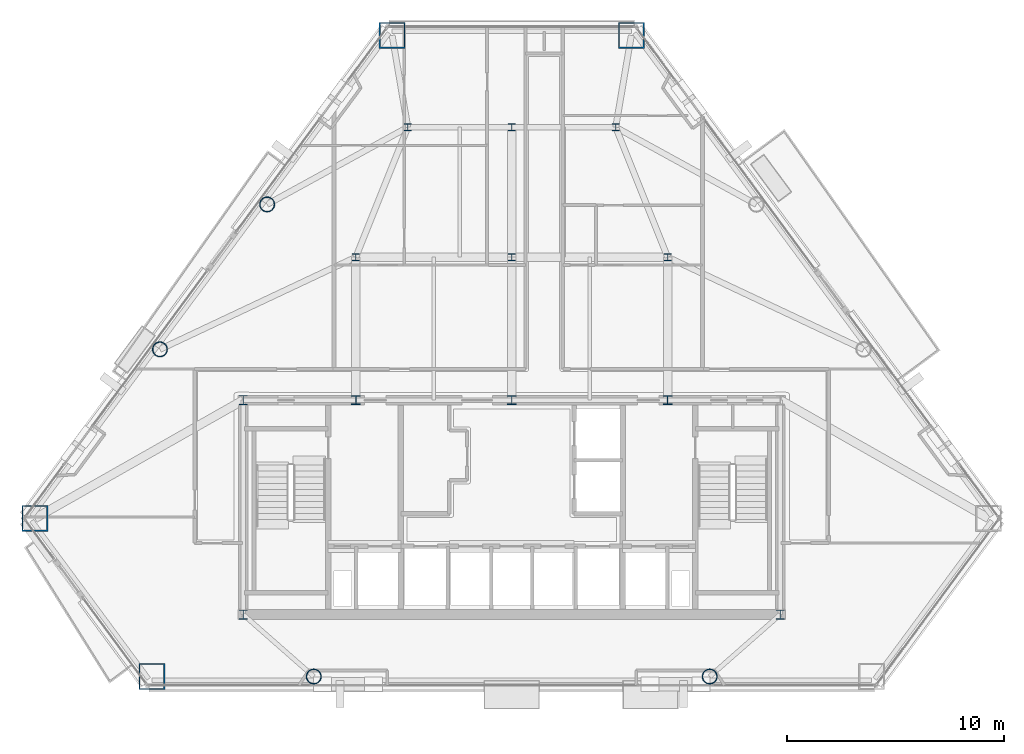
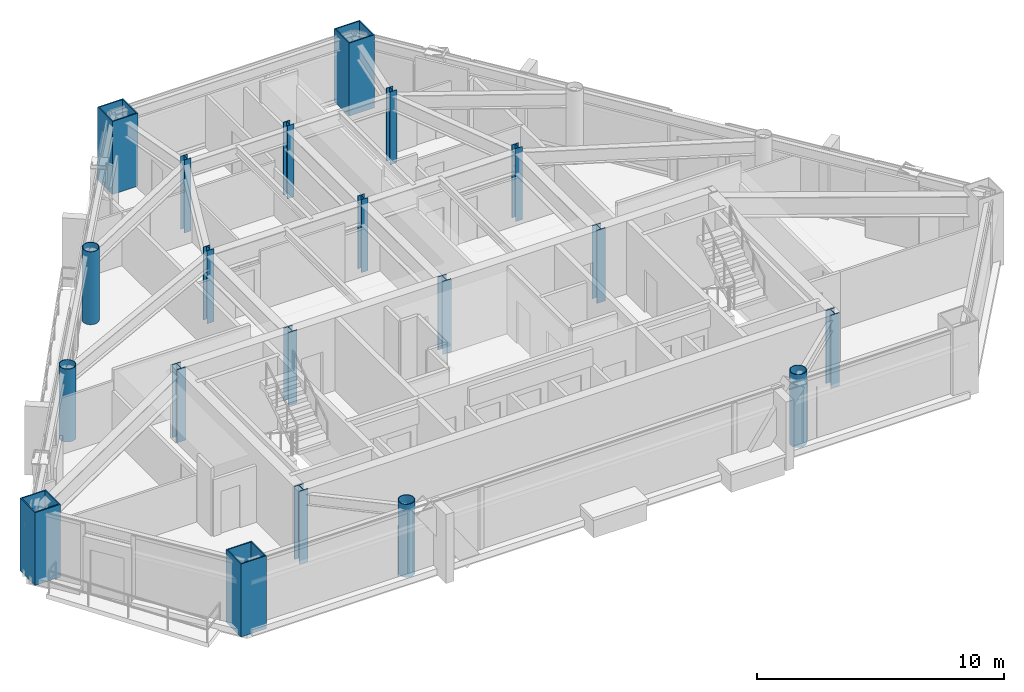
# One storey, part 1 of 11: 20 columns.
"""IFC4 building model written with IfcOpenShell, lengths in metres."""

from ifc_helpers import new_model, si_unit, direction, frame, origin, origin_2d, place, context, subcontext, project, spatial, hollow_rectangle, hollow_circle, i_section, extrude, material, material_profile, profile_set, type_object, element, save


model = new_model("IFC4")

# Units and contexts
model_context = context("Model", 3, precision=1e-05, world=origin(), true_north=direction((0.0, 1.0)))
body_context = subcontext(model_context, "Body", "Model", "MODEL_VIEW")
ifc_project = project(units=[si_unit("LENGTHUNIT", "METRE"), si_unit("AREAUNIT", "SQUARE_METRE"), si_unit("VOLUMEUNIT", "CUBIC_METRE"), si_unit("PLANEANGLEUNIT", "RADIAN"), si_unit("MASSUNIT", "GRAM", prefix="KILO")], contexts=[model_context])

# Site, building, storey
site_placement = place(None, origin())
site = spatial("IfcSite", under=ifc_project, at=site_placement, CompositionType="ELEMENT")
building_placement = place(site_placement, origin())
building = spatial("IfcBuilding", under=site, at=building_placement, Name="Talgorran Terracotta Tower", CompositionType="ELEMENT")
storey_placement = place(building_placement, frame((0.0, 0.0, 122.10009765625)))
storey = spatial("IfcBuildingStorey", under=building, at=storey_placement, Name="L31", CompositionType="ELEMENT", Elevation=122.10009765625)

# Columns
ifc_material_1 = material(Name="Steel S355 (300PLUS)", Category="steel")
ifc_material_profile_1 = material_profile(ifc_material_1, i_section(OverallWidth=0.311279296875, OverallDepth=0.3271484375, WebThickness=0.015625, FlangeThickness=0.02490234375, at=origin_2d()), Name="310UC158")
ifc_profile_set_1 = profile_set([ifc_material_profile_1], Name="Steel S355 (300PLUS)")
column_type_1 = type_object("IfcColumnType", Name="COL_310UC158", PredefinedType="COLUMN", material=ifc_profile_set_1)
for number, where, z_axis, x_axis, name in (
    (1, (-7.199951171875, 2.39990234375, 0.0), (0.0, 0.0, 1.0), (1.0, 0.0, 0.0), "L31 Interior Gravity Column IC1"),
    (2, (0.0, 2.39990234375, 0.0), (0.0, 0.0, 1.0), (1.0, 0.0, 0.0), "L31 Interior Gravity Column IC2"),
    (3, (7.199951171875, 2.39990234375, 0.0), (0.0, 0.0, 1.0), (1.0, 0.0, 0.0), "L31 Interior Gravity Column IC3"),
    (4, (-4.800048828125, 8.39990234375, 0.0), (0.0, 0.0, 1.0), (1.0, 0.0, 0.0), "L31 Interior Gravity Column IC4"),
    (5, (0.0, 8.39990234375, 0.0), (0.0, 0.0, 1.0), (1.0, 0.0, 0.0), "L31 Interior Gravity Column IC5"),
    (6, (4.800048828125, 8.39990234375, 0.0), (0.0, 0.0, 1.0), (1.0, 0.0, 0.0), "L31 Interior Gravity Column IC6"),
):
    element("IfcColumn", number, at=place(storey_placement, frame(where, z_axis=z_axis, x_axis=x_axis)), inside=storey, type_object=column_type_1, Name=name, PredefinedType="COLUMN", context=body_context, shape_type="SweptSolid", body=[
        extrude(i_section(OverallWidth=0.311279296875, OverallDepth=0.3271484375, WebThickness=0.015625, FlangeThickness=0.02490234375, at=origin_2d()), origin(), (0.0, 0.0, 1.0), 3.599853515625),
    ])
ifc_material_profile_2 = material_profile(ifc_material_1, i_section(OverallWidth=0.39990234375, OverallDepth=0.43994140625, WebThickness=0.028076171875, FlangeThickness=0.0400390625, at=origin_2d()), Name="400WC328")
ifc_profile_set_2 = profile_set([ifc_material_profile_2], Name="Steel S355 (300PLUS)")
column_type_2 = type_object("IfcColumnType", Name="COL_400WC328", PredefinedType="COLUMN", material=ifc_profile_set_2)
for number, where, z_axis, x_axis, name in (
    (7, (-12.39990234375, -14.10009765625, 0.0), (0.0, 0.0, 1.0), (1.0, 0.0, 0.0), "L31 Core Boundary Column CC1"),
    (8, (12.39990234375, -14.10009765625, 0.0), (0.0, 0.0, 1.0), (1.0, 0.0, 0.0), "L31 Core Boundary Column CC2"),
    (9, (-12.39990234375, -4.199951171875, 0.0), (0.0, 0.0, 1.0), (1.0, 0.0, 0.0), "L31 Core Boundary Column CC4"),
):
    element("IfcColumn", number, at=place(storey_placement, frame(where, z_axis=z_axis, x_axis=x_axis)), inside=storey, type_object=column_type_2, Name=name, PredefinedType="COLUMN", context=body_context, shape_type="SweptSolid", body=[
        extrude(i_section(OverallWidth=0.39990234375, OverallDepth=0.43994140625, WebThickness=0.028076171875, FlangeThickness=0.0400390625, at=origin_2d()), origin(), (0.0, 0.0, 1.0), 3.599853515625),
    ])
ifc_material_2 = material(Name="Steel Grade 350 (350L0)", Category="steel")
ifc_material_profile_3 = material_profile(ifc_material_2, hollow_rectangle(XDim=1.199951171875, YDim=1.199951171875, WallThickness=0.054931640625, at=origin_2d()), Name="CFT1200X1200X55")
ifc_profile_set_3 = profile_set([ifc_material_profile_3], Name="Steel Grade 350 (350L0)")
column_type_3 = type_object("IfcColumnType", Name="COL_CFT_1200", PredefinedType="COLUMN", material=ifc_profile_set_3)
for number, where, z_axis, x_axis, name in (
    (10, (-22.0185546875, -9.661865234375, 0.0), (0.0, 0.0, 1.0), (1.0, 0.0, 0.0), "L31 Corner CFT Mega-Column MC1"),
    (11, (-16.618408203125, -16.96337890625, 0.0), (0.0, 0.0, 1.0), (1.0, 0.0, 0.0), "L31 Corner CFT Mega-Column MC2"),
    (12, (5.5224609375, 12.641845703125, 0.0), (0.0, 0.0, 1.0), (1.0, 0.0, 0.0), "L31 Corner CFT Mega-Column MC5"),
    (13, (-5.5224609375, 12.641845703125, 0.0), (0.0, 0.0, 1.0), (1.0, 0.0, 0.0), "L31 Corner CFT Mega-Column MC6"),
):
    element("IfcColumn", number, at=place(storey_placement, frame(where, z_axis=z_axis, x_axis=x_axis)), inside=storey, type_object=column_type_3, Name=name, PredefinedType="COLUMN", context=body_context, shape_type="SweptSolid", body=[
        extrude(hollow_rectangle(XDim=1.199951171875, YDim=1.199951171875, WallThickness=0.054931640625, at=origin_2d()), origin(), (0.0, 0.0, 1.0), 3.599853515625),
    ])
ifc_material_profile_4 = material_profile(ifc_material_2, hollow_circle(Radius=0.35009765625, WallThickness=0.030029296875, at=origin_2d()), Name="CHS700X30")
ifc_profile_set_4 = profile_set([ifc_material_profile_4], Name="Steel Grade 350 (350L0)")
column_type_4 = type_object("IfcColumnType", Name="COL_CHS_700", PredefinedType="COLUMN", material=ifc_profile_set_4)
for number, where, z_axis, x_axis, name in (
    (14, (-9.14013671875, -16.96337890625, 0.0), (0.0, 0.0, 1.0), (1.0, 0.0, 0.0), "L31 Facet Perimeter Column FC1"),
    (15, (9.14013671875, -16.96337890625, 0.0), (0.0, 0.0, 1.0), (1.0, 0.0, 0.0), "L31 Facet Perimeter Column FC2"),
    (16, (-11.296142578125, 4.835693359375, 0.0), (0.0, 0.0, 1.0), (1.0, 0.0, 0.0), "L31 Facet Perimeter Column FC5"),
    (17, (-16.244873046875, -1.855712890625, 0.0), (0.0, 0.0, 1.0), (1.0, 0.0, 0.0), "L31 Facet Perimeter Column FC6"),
):
    element("IfcColumn", number, at=place(storey_placement, frame(where, z_axis=z_axis, x_axis=x_axis)), inside=storey, type_object=column_type_4, Name=name, PredefinedType="COLUMN", context=body_context, shape_type="SweptSolid", body=[
        extrude(hollow_circle(Radius=0.35009765625, WallThickness=0.030029296875, at=origin_2d()), origin(), (0.0, 0.0, 1.0), 3.599853515625),
    ])
ifc_material_profile_5 = material_profile(ifc_material_1, i_section(OverallWidth=0.405029296875, OverallDepth=0.4140625, WebThickness=0.02197265625, FlangeThickness=0.031982421875, at=origin_2d()), Name="400WC270")
ifc_profile_set_5 = profile_set([ifc_material_profile_5], Name="Steel S355 (300PLUS)")
column_type_5 = type_object("IfcColumnType", Name="COL_PIL_400WC270", PredefinedType="PILASTER", material=ifc_profile_set_5)
for number, where, z_axis, x_axis, name in (
    (18, (-7.199951171875, -4.199951171875, 0.0), (0.0, 0.0, 1.0), (1.0, 0.0, 0.0), "L31 Core Shear Pilaster CP1"),
    (19, (0.0, -4.199951171875, 0.0), (0.0, 0.0, 1.0), (1.0, 0.0, 0.0), "L31 Core Shear Pilaster CP2"),
    (20, (7.199951171875, -4.199951171875, 0.0), (0.0, 0.0, 1.0), (1.0, 0.0, 0.0), "L31 Core Shear Pilaster CP3"),
):
    element("IfcColumn", number, at=place(storey_placement, frame(where, z_axis=z_axis, x_axis=x_axis)), inside=storey, type_object=column_type_5, Name=name, PredefinedType="PILASTER", context=body_context, shape_type="SweptSolid", body=[
        extrude(i_section(OverallWidth=0.405029296875, OverallDepth=0.4140625, WebThickness=0.02197265625, FlangeThickness=0.031982421875, at=origin_2d()), origin(), (0.0, 0.0, 1.0), 3.599853515625),
    ])

save(model, "model.ifc")
